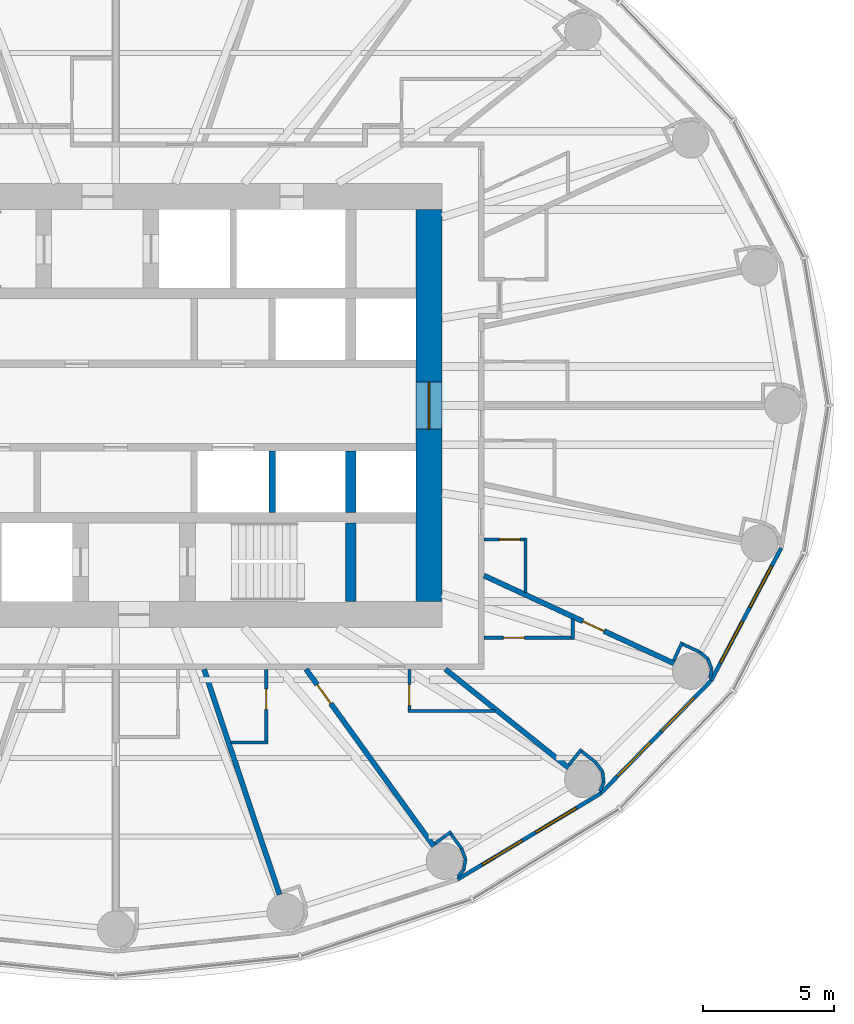
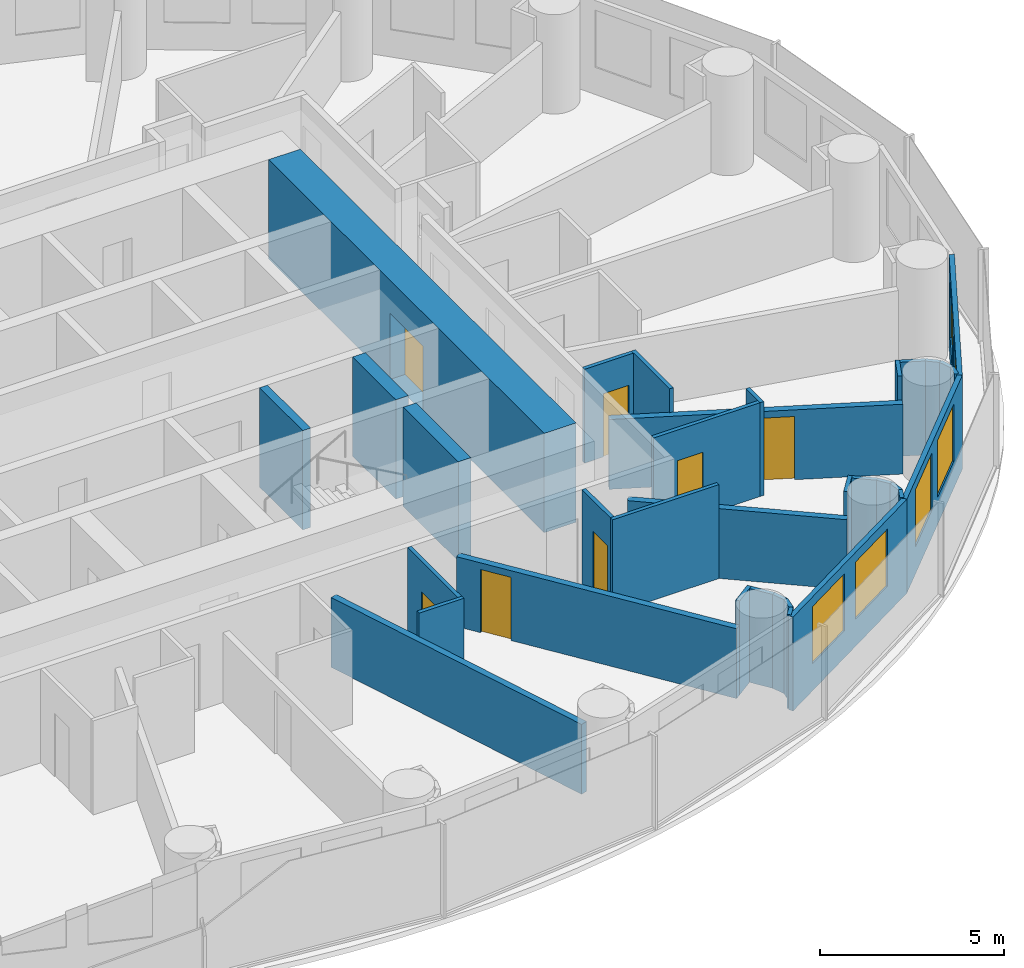
# One storey, part 10 of 16: 34 walls, 7 doors, 6 windows, 13 openings.
"""IFC4 building model written with IfcOpenShell, lengths in metres."""

from ifc_helpers import new_model, si_unit, direction, frame, frame_2d, origin, place, context, subcontext, project, spatial, rectangle, extrude, material, layer, layer_set, type_object, element, fill, save


model = new_model("IFC4")

# Units and contexts
model_context = context("Model", 3, precision=1e-05, world=origin(), true_north=direction((0.0, 1.0)))
body_context = subcontext(model_context, "Body", "Model", "MODEL_VIEW")
ifc_project = project(units=[si_unit("LENGTHUNIT", "METRE"), si_unit("AREAUNIT", "SQUARE_METRE"), si_unit("VOLUMEUNIT", "CUBIC_METRE"), si_unit("PLANEANGLEUNIT", "RADIAN"), si_unit("MASSUNIT", "GRAM", prefix="KILO")], contexts=[model_context])

# Site, building, storey
site_placement = place(None, origin())
site = spatial("IfcSite", under=ifc_project, at=site_placement, CompositionType="ELEMENT")
building_placement = place(site_placement, origin())
building = spatial("IfcBuilding", under=site, at=building_placement, Name="Hankou Lantern Tower", CompositionType="ELEMENT")
storey_placement = place(building_placement, frame((0.0, 0.0, 77.10009765625)))
storey = spatial("IfcBuildingStorey", under=building, at=storey_placement, Name="L19", CompositionType="ELEMENT", Elevation=77.10009765625)

# Wall, opening, door
ifc_material_1 = material(Name="Concrete C60", Category="concrete")
ifc_layer_1 = layer(ifc_material_1, 1.0)
ifc_layer_set_1 = layer_set([ifc_layer_1], Name="Concrete C60")
wall_type_1 = type_object("IfcWallType", Name="CW1 CORE WALL 1000", PredefinedType="SHEAR", material=ifc_layer_set_1)
wall_1_placement = place(storey_placement, frame((12.0, -7.5, 0.0), z_axis=(0.0, 0.0, 1.0), x_axis=(0.0, 1.0, 0.0)))
wall_1 = element("IfcWall", 1, at=wall_1_placement, inside=storey, type_object=wall_type_1, Name="Core wall east L19", PredefinedType="SHEAR", context=body_context, shape_type="SweptSolid", body=[
    extrude(rectangle(XDim=15.0, YDim=1.0, at=frame_2d((7.5, 0.0))), origin(), (0.0, 0.0, 1.0), 3.2998046875),
])
opening_1_placement = place(wall_1_placement, frame((6.60009765625, 0.0, 0.0)))
opening_1 = element("IfcOpeningElement", 2, at=opening_1_placement, cuts=wall_1, Name="Opening D6", PredefinedType="OPENING", context=body_context, shape_type="SweptSolid", body=[
    extrude(rectangle(XDim=1.800048828125, YDim=2.199951171875, at=frame_2d((0.89990234375, 1.10009765625))), frame((0.0, 0.510009765625, 0.0), z_axis=(0.0, -1.0, 0.0), x_axis=(1.0, 0.0, 0.0)), (0.0, 0.0, 1.0), 1.02001953125),
])
ifc_material_2 = material(Name="Steel door leaf", Category="steel")
door_type_1 = type_object("IfcDoorType", Name="D6 LIFT LOBBY DOOR 1800X2200", OperationType="DOUBLE_DOOR_DOUBLE_SWING", PredefinedType="DOOR", material=ifc_material_2)
door_1_placement = place(opening_1_placement, origin())
door_1 = element("IfcDoor", 3, at=door_1_placement, inside=storey, type_object=door_type_1, Name="Lift lobby east door", OperationType="DOUBLE_DOOR_DOUBLE_SWING", OverallHeight=2.199951171875, OverallWidth=1.800048828125, PredefinedType="DOOR", context=body_context, shape_type="SweptSolid", body=[
    extrude(rectangle(XDim=1.800048828125, YDim=2.199951171875, at=frame_2d((0.89990234375, 1.10009765625))), frame((0.0, 0.02490234375, 0.0), z_axis=(0.0, -1.0, 0.0), x_axis=(1.0, 0.0, 0.0)), (0.0, 0.0, 1.0), 0.050048828125),
])
fill(opening_1, door_1)

# Walls
ifc_material_3 = material(Name="Concrete C60", Category="concrete")
ifc_layer_2 = layer(ifc_material_3, 0.39990234375)
ifc_layer_set_2 = layer_set([ifc_layer_2], Name="Concrete C60")
wall_type_2 = type_object("IfcWallType", Name="CW4 CORE CROSS WALL 400", PredefinedType="SHEAR", material=ifc_layer_set_2)
wall_2_placement = place(storey_placement, frame((9.0, -4.10009765625, 0.0), z_axis=(0.0, 0.0, 1.0), x_axis=(0.0, 1.0, 0.0)))
element("IfcWall", 4, at=wall_2_placement, inside=storey, type_object=wall_type_2, Name="Core strip wall L19", PredefinedType="SHEAR", context=body_context, shape_type="SweptSolid", body=[
    extrude(rectangle(XDim=2.35009765625, YDim=0.39990234375, at=frame_2d((1.175048828125, 0.0))), origin(), (0.0, 0.0, 1.0), 3.2998046875),
])
wall_3_placement = place(storey_placement, frame((9.0, -7.5, 0.0), z_axis=(0.0, 0.0, 1.0), x_axis=(0.0, 1.0, 0.0)))
element("IfcWall", 5, at=wall_3_placement, inside=storey, type_object=wall_type_2, Name="Core strip wall L19", PredefinedType="SHEAR", context=body_context, shape_type="SweptSolid", body=[
    extrude(rectangle(XDim=3.0, YDim=0.39990234375, at=frame_2d((1.5, 0.0))), origin(), (0.0, 0.0, 1.0), 3.2998046875),
])

# Wall, openings, windows
ifc_material_4 = material(Name="Aluminium spandrel panel on steel studs", Category="steel")
ifc_layer_3 = layer(ifc_material_4, 0.14990234375)
ifc_layer_set_3 = layer_set([ifc_layer_3], Name="Aluminium spandrel panel on steel studs")
wall_type_3 = type_object("IfcWallType", Name="EW1 INNER SKIN WALL 150", PredefinedType="ELEMENTEDWALL", material=ifc_layer_set_3)
wall_4_placement = place(storey_placement, frame((13.096435546875, -18.14697265625, 0.0), z_axis=(0.0, 0.0, 1.0), x_axis=(0.856983180864, 0.515344377787, 0.0)))
wall_4 = element("IfcWall", 6, at=wall_4_placement, inside=storey, type_object=wall_type_3, Name="Inner skin R21-R22 L19", PredefinedType="ELEMENTEDWALL", context=body_context, shape_type="SweptSolid", body=[
    extrude(rectangle(XDim=6.386474609375, YDim=0.14990234375, at=frame_2d((3.193359375, 0.0))), origin(), (0.0, 0.0, 1.0), 3.119873046875),
])
opening_2_placement = place(wall_4_placement, frame((1.09326171875, 0.0, 0.89990234375)))
opening_2 = element("IfcOpeningElement", 7, at=opening_2_placement, cuts=wall_4, Name="Opening W1", PredefinedType="OPENING", context=body_context, shape_type="SweptSolid", body=[
    extrude(rectangle(XDim=1.800048828125, YDim=1.89990234375, at=frame_2d((0.89990234375, 0.949951171875))), frame((0.0, 0.0849609375, 0.0), z_axis=(0.0, -1.0, 0.0), x_axis=(1.0, 0.0, 0.0)), (0.0, 0.0, 1.0), 0.169921875),
])
opening_3_placement = place(wall_4_placement, frame((3.4931640625, 0.0, 0.89990234375)))
opening_3 = element("IfcOpeningElement", 8, at=opening_3_placement, cuts=wall_4, Name="Opening W1", PredefinedType="OPENING", context=body_context, shape_type="SweptSolid", body=[
    extrude(rectangle(XDim=1.800048828125, YDim=1.89990234375, at=frame_2d((0.89990234375, 0.949951171875))), frame((0.0, 0.0849609375, 0.0), z_axis=(0.0, -1.0, 0.0), x_axis=(1.0, 0.0, 0.0)), (0.0, 0.0, 1.0), 0.169921875),
])
ifc_material_5 = material(Name="Aluminium framed double glazed window", Category="aluminium")
window_type = type_object("IfcWindowType", Name="W1 GUEST ROOM WINDOW 1800X1900", PartitioningType="DOUBLE_PANEL_VERTICAL", PredefinedType="WINDOW", material=ifc_material_5)
window_1_placement = place(opening_2_placement, origin())
window_1 = element("IfcWindow", 9, at=window_1_placement, inside=storey, type_object=window_type, Name="Window R21.1 L19", OverallHeight=1.89990234375, OverallWidth=1.800048828125, PartitioningType="SINGLE_PANEL", PredefinedType="WINDOW", context=body_context, shape_type="SweptSolid", body=[
    extrude(rectangle(XDim=1.800048828125, YDim=1.89990234375, at=frame_2d((0.89990234375, 0.949951171875))), frame((0.0, 0.030029296875, 0.0), z_axis=(0.0, -1.0, 0.0), x_axis=(1.0, 0.0, 0.0)), (0.0, 0.0, 1.0), 0.06005859375),
])
fill(opening_2, window_1)
window_2_placement = place(opening_3_placement, origin())
window_2 = element("IfcWindow", 10, at=window_2_placement, inside=storey, type_object=window_type, Name="Window R21.2 L19", OverallHeight=1.89990234375, OverallWidth=1.800048828125, PartitioningType="SINGLE_PANEL", PredefinedType="WINDOW", context=body_context, shape_type="SweptSolid", body=[
    extrude(rectangle(XDim=1.800048828125, YDim=1.89990234375, at=frame_2d((0.89990234375, 0.949951171875))), frame((0.0, 0.030029296875, 0.0), z_axis=(0.0, -1.0, 0.0), x_axis=(1.0, 0.0, 0.0)), (0.0, 0.0, 1.0), 0.06005859375),
])
fill(opening_3, window_2)

wall_5_placement = place(storey_placement, frame((18.569580078125, -14.855712890625, 0.0), z_axis=(0.0, 0.0, 1.0), x_axis=(0.699602905915, 0.714531856557, 0.0)))
wall_5 = element("IfcWall", 11, at=wall_5_placement, inside=storey, type_object=wall_type_3, Name="Inner skin R22-R23 L19", PredefinedType="ELEMENTEDWALL", context=body_context, shape_type="SweptSolid", body=[
    extrude(rectangle(XDim=6.05078125, YDim=0.14990234375, at=frame_2d((3.025390625, 0.0))), origin(), (0.0, 0.0, 1.0), 3.119873046875),
])
opening_4_placement = place(wall_5_placement, frame((0.925537109375, 0.0, 0.89990234375)))
opening_4 = element("IfcOpeningElement", 12, at=opening_4_placement, cuts=wall_5, Name="Opening W1", PredefinedType="OPENING", context=body_context, shape_type="SweptSolid", body=[
    extrude(rectangle(XDim=1.800048828125, YDim=1.89990234375, at=frame_2d((0.89990234375, 0.949951171875))), frame((0.0, 0.0849609375, 0.0), z_axis=(0.0, -1.0, 0.0), x_axis=(1.0, 0.0, 0.0)), (0.0, 0.0, 1.0), 0.169921875),
])
opening_5_placement = place(wall_5_placement, frame((3.325439453125, 0.0, 0.89990234375)))
opening_5 = element("IfcOpeningElement", 13, at=opening_5_placement, cuts=wall_5, Name="Opening W1", PredefinedType="OPENING", context=body_context, shape_type="SweptSolid", body=[
    extrude(rectangle(XDim=1.800048828125, YDim=1.89990234375, at=frame_2d((0.89990234375, 0.949951171875))), frame((0.0, 0.0849609375, 0.0), z_axis=(0.0, -1.0, 0.0), x_axis=(1.0, 0.0, 0.0)), (0.0, 0.0, 1.0), 0.169921875),
])
window_3_placement = place(opening_4_placement, origin())
window_3 = element("IfcWindow", 14, at=window_3_placement, inside=storey, type_object=window_type, Name="Window R22.1 L19", OverallHeight=1.89990234375, OverallWidth=1.800048828125, PartitioningType="SINGLE_PANEL", PredefinedType="WINDOW", context=body_context, shape_type="SweptSolid", body=[
    extrude(rectangle(XDim=1.800048828125, YDim=1.89990234375, at=frame_2d((0.89990234375, 0.949951171875))), frame((0.0, 0.030029296875, 0.0), z_axis=(0.0, -1.0, 0.0), x_axis=(1.0, 0.0, 0.0)), (0.0, 0.0, 1.0), 0.06005859375),
])
fill(opening_4, window_3)
window_4_placement = place(opening_5_placement, origin())
window_4 = element("IfcWindow", 15, at=window_4_placement, inside=storey, type_object=window_type, Name="Window R22.2 L19", OverallHeight=1.89990234375, OverallWidth=1.800048828125, PartitioningType="SINGLE_PANEL", PredefinedType="WINDOW", context=body_context, shape_type="SweptSolid", body=[
    extrude(rectangle(XDim=1.800048828125, YDim=1.89990234375, at=frame_2d((0.89990234375, 0.949951171875))), frame((0.0, 0.030029296875, 0.0), z_axis=(0.0, -1.0, 0.0), x_axis=(1.0, 0.0, 0.0)), (0.0, 0.0, 1.0), 0.06005859375),
])
fill(opening_5, window_4)

wall_6_placement = place(storey_placement, frame((22.802734375, -10.5322265625, 0.0), z_axis=(0.0, 0.0, 1.0), x_axis=(0.467296867008, 0.884100468321, 0.0)))
wall_6 = element("IfcWall", 16, at=wall_6_placement, inside=storey, type_object=wall_type_3, Name="Inner skin R23-R24 L19", PredefinedType="ELEMENTEDWALL", context=body_context, shape_type="SweptSolid", body=[
    extrude(rectangle(XDim=5.734375, YDim=0.14990234375, at=frame_2d((2.8671875, 0.0))), origin(), (0.0, 0.0, 1.0), 3.119873046875),
])
opening_6_placement = place(wall_6_placement, frame((0.76708984375, 0.0, 0.89990234375)))
opening_6 = element("IfcOpeningElement", 17, at=opening_6_placement, cuts=wall_6, Name="Opening W1", PredefinedType="OPENING", context=body_context, shape_type="SweptSolid", body=[
    extrude(rectangle(XDim=1.800048828125, YDim=1.89990234375, at=frame_2d((0.89990234375, 0.949951171875))), frame((0.0, 0.0849609375, 0.0), z_axis=(0.0, -1.0, 0.0), x_axis=(1.0, 0.0, 0.0)), (0.0, 0.0, 1.0), 0.169921875),
])
opening_7_placement = place(wall_6_placement, frame((3.167236328125, 0.0, 0.89990234375)))
opening_7 = element("IfcOpeningElement", 18, at=opening_7_placement, cuts=wall_6, Name="Opening W1", PredefinedType="OPENING", context=body_context, shape_type="SweptSolid", body=[
    extrude(rectangle(XDim=1.800048828125, YDim=1.89990234375, at=frame_2d((0.89990234375, 0.949951171875))), frame((0.0, 0.0849609375, 0.0), z_axis=(0.0, -1.0, 0.0), x_axis=(1.0, 0.0, 0.0)), (0.0, 0.0, 1.0), 0.169921875),
])
window_5_placement = place(opening_6_placement, origin())
window_5 = element("IfcWindow", 19, at=window_5_placement, inside=storey, type_object=window_type, Name="Window R23.1 L19", OverallHeight=1.89990234375, OverallWidth=1.800048828125, PartitioningType="SINGLE_PANEL", PredefinedType="WINDOW", context=body_context, shape_type="SweptSolid", body=[
    extrude(rectangle(XDim=1.800048828125, YDim=1.89990234375, at=frame_2d((0.89990234375, 0.949951171875))), frame((0.0, 0.030029296875, 0.0), z_axis=(0.0, -1.0, 0.0), x_axis=(1.0, 0.0, 0.0)), (0.0, 0.0, 1.0), 0.06005859375),
])
fill(opening_6, window_5)
window_6_placement = place(opening_7_placement, origin())
window_6 = element("IfcWindow", 20, at=window_6_placement, inside=storey, type_object=window_type, Name="Window R23.2 L19", OverallHeight=1.89990234375, OverallWidth=1.800048828125, PartitioningType="SINGLE_PANEL", PredefinedType="WINDOW", context=body_context, shape_type="SweptSolid", body=[
    extrude(rectangle(XDim=1.800048828125, YDim=1.89990234375, at=frame_2d((0.89990234375, 0.949951171875))), frame((0.0, 0.030029296875, 0.0), z_axis=(0.0, -1.0, 0.0), x_axis=(1.0, 0.0, 0.0)), (0.0, 0.0, 1.0), 0.06005859375),
])
fill(opening_7, window_6)

# Walls
ifc_material_6 = material(Name="Masonry lightweight concrete block", Category="masonry")
ifc_layer_4 = layer(ifc_material_6, 0.199951171875)
ifc_layer_set_4 = layer_set([ifc_layer_4], Name="Masonry lightweight concrete block")
wall_type_4 = type_object("IfcWallType", Name="IW1 GUEST ROOM PARTY WALL 200", PredefinedType="PARTITIONING", material=ifc_layer_set_4)
wall_7_placement = place(storey_placement, frame((3.3828125, -10.10009765625, 0.0), z_axis=(0.0, 0.0, 1.0), x_axis=(0.31759592231, -0.948226149256, 0.0)))
element("IfcWall", 21, at=wall_7_placement, inside=storey, type_object=wall_type_4, Name="Party wall R20", PredefinedType="PARTITIONING", context=body_context, shape_type="SweptSolid", body=[
    extrude(rectangle(XDim=9.098388671875, YDim=0.199951171875, at=frame_2d((4.54931640625, 0.0))), origin(), (0.0, 0.0, 1.0), 2.31982421875),
])
wall_8_placement = place(storey_placement, frame((12.625, -10.10009765625, 0.0), z_axis=(0.0, 0.0, 1.0), x_axis=(0.780892451574, -0.624665493744, 0.0)))
element("IfcWall", 22, at=wall_8_placement, inside=storey, type_object=wall_type_4, Name="Party wall R22", PredefinedType="PARTITIONING", context=body_context, shape_type="SweptSolid", body=[
    extrude(rectangle(XDim=6.044677734375, YDim=0.199951171875, at=frame_2d((3.0224609375, 0.0))), origin(), (0.0, 0.0, 1.0), 2.31982421875),
])
ifc_material_7 = material(Name="Masonry lightweight concrete block", Category="masonry")
ifc_layer_5 = layer(ifc_material_7, 0.1201171875)
ifc_layer_set_5 = layer_set([ifc_layer_5], Name="Masonry lightweight concrete block")
wall_type_5 = type_object("IfcWallType", Name="IW3 BATHROOM WALL 120", PredefinedType="PARTITIONING", material=ifc_layer_set_5)
wall_9_placement = place(storey_placement, frame((4.420654296875, -12.89990234375, 0.0), z_axis=(0.0, 0.0, 1.0), x_axis=(1.0, 0.0, 0.0)))
element("IfcWall", 23, at=wall_9_placement, inside=storey, type_object=wall_type_5, Name="Box wall 1903A 1", PredefinedType="PARTITIONING", context=body_context, shape_type="SweptSolid", body=[
    extrude(rectangle(XDim=1.402099609375, YDim=0.1201171875, at=frame_2d((0.701171875, 0.0))), origin(), (0.0, 0.0, 1.0), 3.119873046875),
])

# Wall, opening, door
wall_10_placement = place(storey_placement, frame((5.762939453125, -10.10009765625, 0.0), z_axis=(0.0, 0.0, 1.0), x_axis=(0.0, -1.0, 0.0)))
wall_10 = element("IfcWall", 24, at=wall_10_placement, inside=storey, type_object=wall_type_5, Name="Box wall 1903A 1", PredefinedType="PARTITIONING", context=body_context, shape_type="SweptSolid", body=[
    extrude(rectangle(XDim=2.739990234375, YDim=0.1201171875, at=frame_2d((1.3701171875, 0.0))), origin(), (0.0, 0.0, 1.0), 3.119873046875),
])
opening_8_placement = place(wall_10_placement, frame((0.75, 0.0, 0.0)))
opening_8 = element("IfcOpeningElement", 25, at=opening_8_placement, cuts=wall_10, Name="Opening D3", PredefinedType="OPENING", context=body_context, shape_type="SweptSolid", body=[
    extrude(rectangle(XDim=0.800048828125, YDim=2.10009765625, at=frame_2d((0.39990234375, 1.050048828125))), frame((0.0, 0.070068359375, 0.0), z_axis=(0.0, -1.0, 0.0), x_axis=(1.0, 0.0, 0.0)), (0.0, 0.0, 1.0), 0.14013671875),
])
ifc_material_8 = material(Name="Timber door leaf", Category="wood")
door_type_2 = type_object("IfcDoorType", Name="D3 BATHROOM DOOR 800X2100", OperationType="SINGLE_SWING_LEFT", PredefinedType="DOOR", material=ifc_material_8)
door_2_placement = place(opening_8_placement, origin())
door_2 = element("IfcDoor", 26, at=door_2_placement, inside=storey, type_object=door_type_2, Name="Suite 1903 bathroom door", OperationType="SINGLE_SWING_LEFT", OverallHeight=2.10009765625, OverallWidth=0.800048828125, PredefinedType="DOOR", context=body_context, shape_type="SweptSolid", body=[
    extrude(rectangle(XDim=0.800048828125, YDim=2.10009765625, at=frame_2d((0.39990234375, 1.050048828125))), frame((0.0, 0.02490234375, 0.0), z_axis=(0.0, -1.0, 0.0), x_axis=(1.0, 0.0, 0.0)), (0.0, 0.0, 1.0), 0.050048828125),
])
fill(opening_8, door_2)

# Wall
wall_11_placement = place(storey_placement, frame((14.52490234375, -11.699951171875, 0.0), z_axis=(0.0, 0.0, 1.0), x_axis=(-1.0, 0.0, 0.0)))
element("IfcWall", 27, at=wall_11_placement, inside=storey, type_object=wall_type_5, Name="Box wall 1903C 1", PredefinedType="PARTITIONING", context=body_context, shape_type="SweptSolid", body=[
    extrude(rectangle(XDim=3.33984375, YDim=0.1201171875, at=frame_2d((1.669921875, 0.0))), origin(), (0.0, 0.0, 1.0), 3.119873046875),
])

# Wall, opening, door
wall_12_placement = place(storey_placement, frame((11.2451171875, -10.10009765625, 0.0), z_axis=(0.0, 0.0, 1.0), x_axis=(0.0, -1.0, 0.0)))
wall_12 = element("IfcWall", 28, at=wall_12_placement, inside=storey, type_object=wall_type_5, Name="Box wall 1903C 1", PredefinedType="PARTITIONING", context=body_context, shape_type="SweptSolid", body=[
    extrude(rectangle(XDim=1.539794921875, YDim=0.1201171875, at=frame_2d((0.77001953125, 0.0))), origin(), (0.0, 0.0, 1.0), 3.119873046875),
])
opening_9_placement = place(wall_12_placement, frame((0.590087890625, 0.0, 0.0)))
opening_9 = element("IfcOpeningElement", 29, at=opening_9_placement, cuts=wall_12, Name="Opening D3", PredefinedType="OPENING", context=body_context, shape_type="SweptSolid", body=[
    extrude(rectangle(XDim=0.800048828125, YDim=2.10009765625, at=frame_2d((0.39990234375, 1.050048828125))), frame((0.0, 0.070068359375, 0.0), z_axis=(0.0, -1.0, 0.0), x_axis=(1.0, 0.0, 0.0)), (0.0, 0.0, 1.0), 0.14013671875),
])
door_3_placement = place(opening_9_placement, origin())
door_3 = element("IfcDoor", 30, at=door_3_placement, inside=storey, type_object=door_type_2, Name="Suite 1903 guest WC door", OperationType="SINGLE_SWING_RIGHT", OverallHeight=2.10009765625, OverallWidth=0.800048828125, PredefinedType="DOOR", context=body_context, shape_type="SweptSolid", body=[
    extrude(rectangle(XDim=0.800048828125, YDim=2.10009765625, at=frame_2d((0.39990234375, 1.050048828125))), frame((0.0, 0.02490234375, 0.0), z_axis=(0.0, -1.0, 0.0), x_axis=(1.0, 0.0, 0.0)), (0.0, 0.0, 1.0), 0.050048828125),
])
fill(opening_9, door_3)

# Wall
wall_13_placement = place(storey_placement, frame((17.5, -8.182861328125, 0.0), z_axis=(0.0, 0.0, 1.0), x_axis=(0.0, -1.0, 0.0)))
element("IfcWall", 31, at=wall_13_placement, inside=storey, type_object=wall_type_5, Name="Box wall 1904A 1", PredefinedType="PARTITIONING", context=body_context, shape_type="SweptSolid", body=[
    extrude(rectangle(XDim=0.76953125, YDim=0.1201171875, at=frame_2d((0.384765625, 0.0))), origin(), (0.0, 0.0, 1.0), 3.119873046875),
])

# Wall, opening, door
wall_14_placement = place(storey_placement, frame((14.10009765625, -8.892578125, 0.0), z_axis=(0.0, 0.0, 1.0), x_axis=(1.0, 0.0, 0.0)))
wall_14 = element("IfcWall", 32, at=wall_14_placement, inside=storey, type_object=wall_type_5, Name="Box wall 1904A 1", PredefinedType="PARTITIONING", context=body_context, shape_type="SweptSolid", body=[
    extrude(rectangle(XDim=3.33984375, YDim=0.1201171875, at=frame_2d((1.669921875, 0.0))), origin(), (0.0, 0.0, 1.0), 3.119873046875),
])
opening_10_placement = place(wall_14_placement, frame((0.75, 0.0, 0.0)))
opening_10 = element("IfcOpeningElement", 33, at=opening_10_placement, cuts=wall_14, Name="Opening D3", PredefinedType="OPENING", context=body_context, shape_type="SweptSolid", body=[
    extrude(rectangle(XDim=0.800048828125, YDim=2.10009765625, at=frame_2d((0.39990234375, 1.050048828125))), frame((0.0, 0.070068359375, 0.0), z_axis=(0.0, -1.0, 0.0), x_axis=(1.0, 0.0, 0.0)), (0.0, 0.0, 1.0), 0.14013671875),
])
door_4_placement = place(opening_10_placement, origin())
door_4 = element("IfcDoor", 34, at=door_4_placement, inside=storey, type_object=door_type_2, Name="Suite 1904 bathroom door", OperationType="SINGLE_SWING_LEFT", OverallHeight=2.10009765625, OverallWidth=0.800048828125, PredefinedType="DOOR", context=body_context, shape_type="SweptSolid", body=[
    extrude(rectangle(XDim=0.800048828125, YDim=2.10009765625, at=frame_2d((0.39990234375, 1.050048828125))), frame((0.0, 0.02490234375, 0.0), z_axis=(0.0, -1.0, 0.0), x_axis=(1.0, 0.0, 0.0)), (0.0, 0.0, 1.0), 0.050048828125),
])
fill(opening_10, door_4)

# Wall
wall_15_placement = place(storey_placement, frame((15.699951171875, -7.151611328125, 0.0), z_axis=(0.0, 0.0, 1.0), x_axis=(0.0, 1.0, 0.0)))
element("IfcWall", 35, at=wall_15_placement, inside=storey, type_object=wall_type_5, Name="Box wall 1904C 1", PredefinedType="PARTITIONING", context=body_context, shape_type="SweptSolid", body=[
    extrude(rectangle(XDim=2.0791015625, YDim=0.1201171875, at=frame_2d((1.03955078125, 0.0))), origin(), (0.0, 0.0, 1.0), 3.119873046875),
])

# Wall, opening, door
wall_16_placement = place(storey_placement, frame((14.10009765625, -5.132568359375, 0.0), z_axis=(0.0, 0.0, 1.0), x_axis=(1.0, 0.0, 0.0)))
wall_16 = element("IfcWall", 36, at=wall_16_placement, inside=storey, type_object=wall_type_5, Name="Box wall 1904C 1", PredefinedType="PARTITIONING", context=body_context, shape_type="SweptSolid", body=[
    extrude(rectangle(XDim=1.539794921875, YDim=0.1201171875, at=frame_2d((0.77001953125, 0.0))), origin(), (0.0, 0.0, 1.0), 3.119873046875),
])
opening_11_placement = place(wall_16_placement, frame((0.590087890625, 0.0, 0.0)))
opening_11 = element("IfcOpeningElement", 37, at=opening_11_placement, cuts=wall_16, Name="Opening D3", PredefinedType="OPENING", context=body_context, shape_type="SweptSolid", body=[
    extrude(rectangle(XDim=0.800048828125, YDim=2.10009765625, at=frame_2d((0.39990234375, 1.050048828125))), frame((0.0, 0.070068359375, 0.0), z_axis=(0.0, -1.0, 0.0), x_axis=(1.0, 0.0, 0.0)), (0.0, 0.0, 1.0), 0.14013671875),
])
door_5_placement = place(opening_11_placement, origin())
door_5 = element("IfcDoor", 38, at=door_5_placement, inside=storey, type_object=door_type_2, Name="Suite 1904 guest WC door", OperationType="SINGLE_SWING_LEFT", OverallHeight=2.10009765625, OverallWidth=0.800048828125, PredefinedType="DOOR", context=body_context, shape_type="SweptSolid", body=[
    extrude(rectangle(XDim=0.800048828125, YDim=2.10009765625, at=frame_2d((0.39990234375, 1.050048828125))), frame((0.0, 0.02490234375, 0.0), z_axis=(0.0, -1.0, 0.0), x_axis=(1.0, 0.0, 0.0)), (0.0, 0.0, 1.0), 0.050048828125),
])
fill(opening_11, door_5)

# Walls
ifc_material_9 = material(Name="Masonry lightweight concrete block", Category="masonry")
ifc_layer_6 = layer(ifc_material_9, 0.1201171875)
ifc_layer_set_6 = layer_set([ifc_layer_6], Name="Masonry lightweight concrete block")
wall_type_6 = type_object("IfcWallType", Name="IW4 PARTITION 120", PredefinedType="PARTITIONING", material=ifc_layer_set_6)
wall_17_placement = place(storey_placement, frame((12.227294921875, -16.771728515625, 0.0), z_axis=(0.0, 0.0, 1.0), x_axis=(0.810821798253, 0.585293098778, 0.0)))
element("IfcWall", 39, at=wall_17_placement, inside=storey, type_object=wall_type_6, Name="Column casing R21 return", PredefinedType="PARTITIONING", context=body_context, shape_type="SweptSolid", body=[
    extrude(rectangle(XDim=0.767578125, YDim=0.1201171875, at=frame_2d((0.3837890625, 0.0))), origin(), (0.0, 0.0, 1.0), 3.119873046875),
])
wall_18_placement = place(storey_placement, frame((12.8359375, -16.40625, 0.0), z_axis=(0.0, 0.0, 1.0), x_axis=(0.585223113993, -0.810872312296, 0.0)))
element("IfcWall", 40, at=wall_18_placement, inside=storey, type_object=wall_type_6, Name="Column casing R21", PredefinedType="PARTITIONING", context=body_context, shape_type="SweptSolid", body=[
    extrude(rectangle(XDim=0.699951171875, YDim=0.1201171875, at=frame_2d((0.35009765625, 0.0))), origin(), (0.0, 0.0, 1.0), 3.119873046875),
])
wall_19_placement = place(storey_placement, frame((13.24560546875, -16.973876953125, 0.0), z_axis=(0.0, 0.0, 1.0), x_axis=(0.355728122235, -0.934589483705, 0.0)))
element("IfcWall", 41, at=wall_19_placement, inside=storey, type_object=wall_type_6, Name="Column casing R21", PredefinedType="PARTITIONING", context=body_context, shape_type="SweptSolid", body=[
    extrude(rectangle(XDim=0.41796875, YDim=0.1201171875, at=frame_2d((0.208984375, 0.0))), origin(), (0.0, 0.0, 1.0), 3.119873046875),
])
wall_20_placement = place(storey_placement, frame((13.394287109375, -17.364501953125, 0.0), z_axis=(0.0, 0.0, 1.0), x_axis=(-0.159379276926, -0.987217425943, 0.0)))
element("IfcWall", 42, at=wall_20_placement, inside=storey, type_object=wall_type_6, Name="Column casing R21", PredefinedType="PARTITIONING", context=body_context, shape_type="SweptSolid", body=[
    extrude(rectangle(XDim=0.418212890625, YDim=0.1201171875, at=frame_2d((0.208984375, 0.0))), origin(), (0.0, 0.0, 1.0), 3.119873046875),
])
wall_21_placement = place(storey_placement, frame((13.32763671875, -17.77734375, 0.0), z_axis=(0.0, 0.0, 1.0), x_axis=(-0.632276783541, -0.774742582407, 0.0)))
element("IfcWall", 43, at=wall_21_placement, inside=storey, type_object=wall_type_6, Name="Column casing R21", PredefinedType="PARTITIONING", context=body_context, shape_type="SweptSolid", body=[
    extrude(rectangle(XDim=0.35986328125, YDim=0.1201171875, at=frame_2d((0.179931640625, 0.0))), origin(), (0.0, 0.0, 1.0), 3.119873046875),
])
wall_22_placement = place(storey_placement, frame((17.36083984375, -13.760498046875, 0.0), z_axis=(0.0, 0.0, 1.0), x_axis=(0.624501042889, 0.781023973659, 0.0)))
element("IfcWall", 44, at=wall_22_placement, inside=storey, type_object=wall_type_6, Name="Column casing R22 return", PredefinedType="PARTITIONING", context=body_context, shape_type="SweptSolid", body=[
    extrude(rectangle(XDim=0.767333984375, YDim=0.1201171875, at=frame_2d((0.3837890625, 0.0))), origin(), (0.0, 0.0, 1.0), 3.119873046875),
])
wall_23_placement = place(storey_placement, frame((17.849609375, -13.24560546875, 0.0), z_axis=(0.0, 0.0, 1.0), x_axis=(0.780902834923, -0.62465251333, 0.0)))
element("IfcWall", 45, at=wall_23_placement, inside=storey, type_object=wall_type_6, Name="Column casing R22", PredefinedType="PARTITIONING", context=body_context, shape_type="SweptSolid", body=[
    extrude(rectangle(XDim=0.699951171875, YDim=0.1201171875, at=frame_2d((0.35009765625, 0.0))), origin(), (0.0, 0.0, 1.0), 3.119873046875),
])
for number, where, z_axis, x_axis, name in (
    (46, (18.396240234375, -13.682861328125, 0.0), (0.0, 0.0, 1.0), (0.592401603461, -0.805642811807, 0.0), "Column casing R22"),
    (47, (18.643798828125, -14.01953125, 0.0), (0.0, 0.0, 1.0), (0.110367433259, -0.993890854006, 0.0), "Column casing R22"),
):
    element("IfcWall", number, at=place(storey_placement, frame(where, z_axis=z_axis, x_axis=x_axis)), inside=storey, type_object=wall_type_6, Name=name, PredefinedType="PARTITIONING", context=body_context, shape_type="SweptSolid", body=[
        extrude(rectangle(XDim=0.41796875, YDim=0.1201171875, at=frame_2d((0.208984375, 0.0))), origin(), (0.0, 0.0, 1.0), 3.119873046875),
    ])
wall_24_placement = place(storey_placement, frame((18.68994140625, -14.43505859375, 0.0), z_axis=(0.0, 0.0, 1.0), x_axis=(-0.401093412634, -0.91603715773, 0.0)))
element("IfcWall", 48, at=wall_24_placement, inside=storey, type_object=wall_type_6, Name="Column casing R22", PredefinedType="PARTITIONING", context=body_context, shape_type="SweptSolid", body=[
    extrude(rectangle(XDim=0.373046875, YDim=0.1201171875, at=frame_2d((0.1865234375, 0.0))), origin(), (0.0, 0.0, 1.0), 3.119873046875),
])
wall_25_placement = place(storey_placement, frame((21.37109375, -9.7607421875, 0.0), z_axis=(0.0, 0.0, 1.0), x_axis=(0.419259891039, 0.907866258744, 0.0)))
element("IfcWall", 49, at=wall_25_placement, inside=storey, type_object=wall_type_6, Name="Column casing R23 return", PredefinedType="PARTITIONING", context=body_context, shape_type="SweptSolid", body=[
    extrude(rectangle(XDim=0.767578125, YDim=0.1201171875, at=frame_2d((0.3837890625, 0.0))), origin(), (0.0, 0.0, 1.0), 3.119873046875),
])
wall_26_placement = place(storey_placement, frame((21.72216796875, -9.1435546875, 0.0), z_axis=(0.0, 0.0, 1.0), x_axis=(0.907877701396, -0.419235112208, 0.0)))
element("IfcWall", 50, at=wall_26_placement, inside=storey, type_object=wall_type_6, Name="Column casing R23", PredefinedType="PARTITIONING", context=body_context, shape_type="SweptSolid", body=[
    extrude(rectangle(XDim=0.699951171875, YDim=0.1201171875, at=frame_2d((0.35009765625, 0.0))), origin(), (0.0, 0.0, 1.0), 3.119873046875),
])
wall_27_placement = place(storey_placement, frame((22.357666015625, -9.43701171875, 0.0), z_axis=(0.0, 0.0, 1.0), x_axis=(0.768412687942, -0.639954639806, 0.0)))
element("IfcWall", 51, at=wall_27_placement, inside=storey, type_object=wall_type_6, Name="Column casing R23", PredefinedType="PARTITIONING", context=body_context, shape_type="SweptSolid", body=[
    extrude(rectangle(XDim=0.418212890625, YDim=0.1201171875, at=frame_2d((0.208984375, 0.0))), origin(), (0.0, 0.0, 1.0), 3.119873046875),
])
wall_28_placement = place(storey_placement, frame((22.678955078125, -9.70458984375, 0.0), z_axis=(0.0, 0.0, 1.0), x_axis=(0.345164001646, -0.938542386879, 0.0)))
element("IfcWall", 52, at=wall_28_placement, inside=storey, type_object=wall_type_6, Name="Column casing R23", PredefinedType="PARTITIONING", context=body_context, shape_type="SweptSolid", body=[
    extrude(rectangle(XDim=0.41796875, YDim=0.1201171875, at=frame_2d((0.208984375, 0.0))), origin(), (0.0, 0.0, 1.0), 3.119873046875),
])
wall_29_placement = place(storey_placement, frame((22.8232421875, -10.096923828125, 0.0), z_axis=(0.0, 0.0, 1.0), x_axis=(-0.169674995186, -0.985500074079, 0.0)))
element("IfcWall", 53, at=wall_29_placement, inside=storey, type_object=wall_type_6, Name="Column casing R23", PredefinedType="PARTITIONING", context=body_context, shape_type="SweptSolid", body=[
    extrude(rectangle(XDim=0.3525390625, YDim=0.1201171875, at=frame_2d((0.17626953125, 0.0))), origin(), (0.0, 0.0, 1.0), 3.119873046875),
])

# Wall, opening, door
ifc_material_10 = material(Name="Masonry lightweight concrete block", Category="masonry")
ifc_layer_7 = layer(ifc_material_10, 0.199951171875)
ifc_layer_set_7 = layer_set([ifc_layer_7], Name="Masonry lightweight concrete block")
wall_type_7 = type_object("IfcWallType", Name="IW6 SUITE PARTITION 200", PredefinedType="PARTITIONING", material=ifc_layer_set_7)
wall_30_placement = place(storey_placement, frame((7.2890625, -10.10009765625, 0.0), z_axis=(0.0, 0.0, 1.0), x_axis=(0.585198353053, -0.810890182197, 0.0)))
wall_30 = element("IfcWall", 54, at=wall_30_placement, inside=storey, type_object=wall_type_7, Name="Suite partition R21", PredefinedType="PARTITIONING", context=body_context, shape_type="SweptSolid", body=[
    extrude(rectangle(XDim=8.359619140625, YDim=0.199951171875, at=frame_2d((4.1796875, 0.0))), origin(), (0.0, 0.0, 1.0), 2.31982421875),
])
opening_12_placement = place(wall_30_placement, frame((0.719970703125, 0.0, 0.0)))
opening_12 = element("IfcOpeningElement", 55, at=opening_12_placement, cuts=wall_30, Name="Opening D27", PredefinedType="OPENING", context=body_context, shape_type="SweptSolid", body=[
    extrude(rectangle(XDim=0.89990234375, YDim=2.10009765625, at=frame_2d((0.449951171875, 1.050048828125))), frame((0.0, 0.10986328125, 0.0), z_axis=(0.0, -1.0, 0.0), x_axis=(1.0, 0.0, 0.0)), (0.0, 0.0, 1.0), 0.219970703125),
])
ifc_material_11 = material(Name="Timber door leaf", Category="wood")
door_type_3 = type_object("IfcDoorType", Name="D27 INTERNAL DOOR 900X2100", OperationType="SINGLE_SWING_LEFT", PredefinedType="DOOR", material=ifc_material_11)
door_6_placement = place(opening_12_placement, origin())
door_6 = element("IfcDoor", 56, at=door_6_placement, inside=storey, type_object=door_type_3, Name="Suite 1903 living room door", OperationType="SINGLE_SWING_LEFT", OverallHeight=2.10009765625, OverallWidth=0.89990234375, PredefinedType="DOOR", context=body_context, shape_type="SweptSolid", body=[
    extrude(rectangle(XDim=0.89990234375, YDim=2.10009765625, at=frame_2d((0.449951171875, 1.050048828125))), frame((0.0, 0.02490234375, 0.0), z_axis=(0.0, -1.0, 0.0), x_axis=(1.0, 0.0, 0.0)), (0.0, 0.0, 1.0), 0.050048828125),
])
fill(opening_12, door_6)

wall_31_placement = place(storey_placement, frame((14.10009765625, -6.512451171875, 0.0), z_axis=(0.0, 0.0, 1.0), x_axis=(0.907832871056, -0.419332181247, 0.0)))
wall_31 = element("IfcWall", 57, at=wall_31_placement, inside=storey, type_object=wall_type_7, Name="Suite partition R23", PredefinedType="PARTITIONING", context=body_context, shape_type="SweptSolid", body=[
    extrude(rectangle(XDim=8.02294921875, YDim=0.199951171875, at=frame_2d((4.011474609375, 0.0))), origin(), (0.0, 0.0, 1.0), 2.31982421875),
])
opening_13_placement = place(wall_31_placement, frame((4.169921875, 0.0, 0.0)))
opening_13 = element("IfcOpeningElement", 58, at=opening_13_placement, cuts=wall_31, Name="Opening D27", PredefinedType="OPENING", context=body_context, shape_type="SweptSolid", body=[
    extrude(rectangle(XDim=0.89990234375, YDim=2.10009765625, at=frame_2d((0.449951171875, 1.050048828125))), frame((0.0, 0.10986328125, 0.0), z_axis=(0.0, -1.0, 0.0), x_axis=(1.0, 0.0, 0.0)), (0.0, 0.0, 1.0), 0.219970703125),
])
door_7_placement = place(opening_13_placement, origin())
door_7 = element("IfcDoor", 59, at=door_7_placement, inside=storey, type_object=door_type_3, Name="Suite 1904 living room door", OperationType="SINGLE_SWING_LEFT", OverallHeight=2.10009765625, OverallWidth=0.89990234375, PredefinedType="DOOR", context=body_context, shape_type="SweptSolid", body=[
    extrude(rectangle(XDim=0.89990234375, YDim=2.10009765625, at=frame_2d((0.449951171875, 1.050048828125))), frame((0.0, 0.02490234375, 0.0), z_axis=(0.0, -1.0, 0.0), x_axis=(1.0, 0.0, 0.0)), (0.0, 0.0, 1.0), 0.050048828125),
])
fill(opening_13, door_7)

# Wall
ifc_material_12 = material(Name="Masonry autoclaved aerated concrete block", Category="masonry")
ifc_layer_8 = layer(ifc_material_12, 0.25)
ifc_layer_set_8 = layer_set([ifc_layer_8], Name="Masonry autoclaved aerated concrete block")
wall_type_8 = type_object("IfcWallType", Name="SW1 SHAFT BLOCK WALL 250", PredefinedType="PARTITIONING", material=ifc_layer_set_8)
wall_32_placement = place(storey_placement, frame((6.0, -4.10009765625, 0.0), z_axis=(0.0, 0.0, 1.0), x_axis=(0.0, 1.0, 0.0)))
element("IfcWall", 60, at=wall_32_placement, inside=storey, type_object=wall_type_8, Name="Lift shaft wall L19", PredefinedType="PARTITIONING", context=body_context, shape_type="SweptSolid", body=[
    extrude(rectangle(XDim=2.35009765625, YDim=0.25, at=frame_2d((1.175048828125, 0.0))), origin(), (0.0, 0.0, 1.0), 3.2998046875),
])

save(model, "model.ifc")
